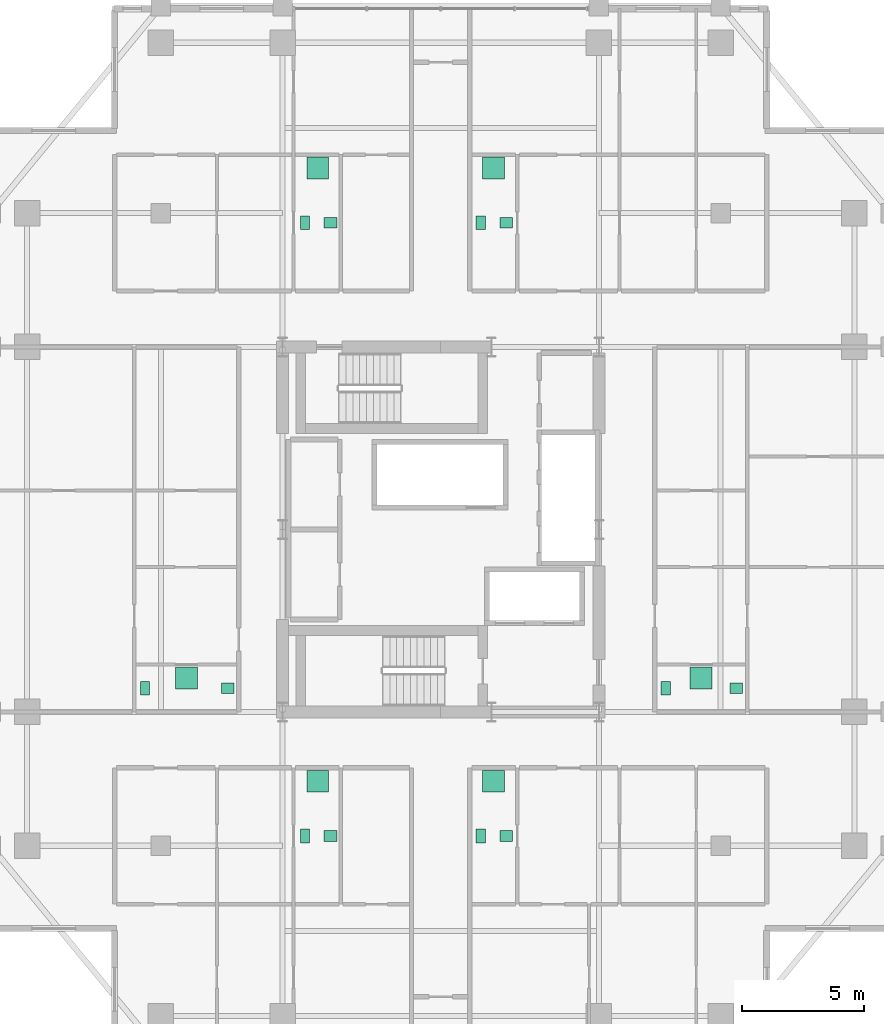
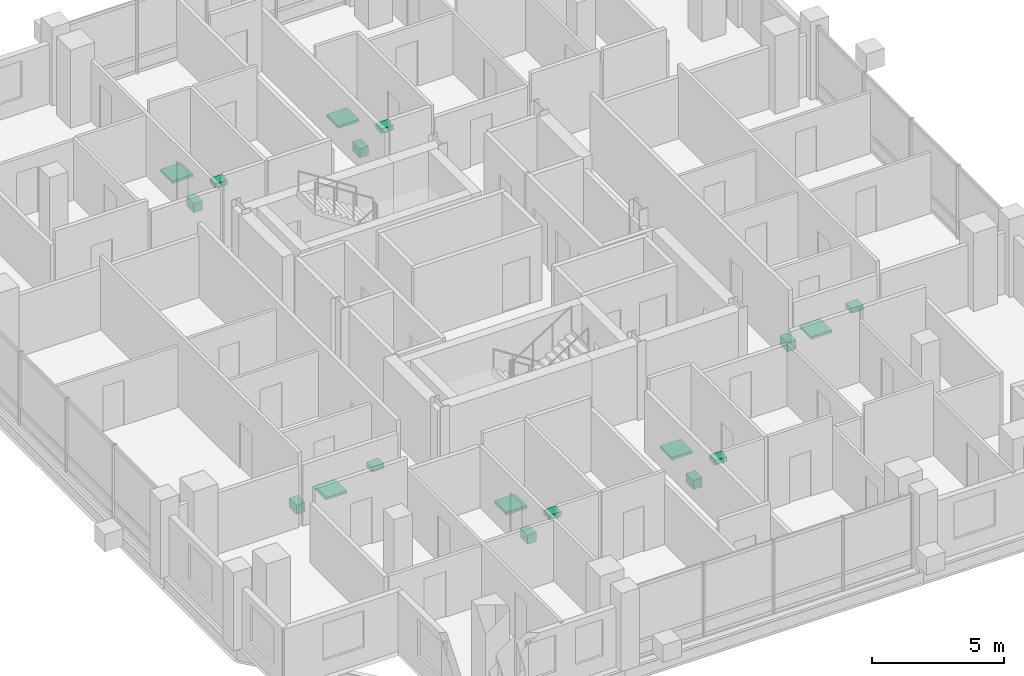
# One storey, part 24 of 24: 18 sanitary terminals.
"""IFC4 building model written with IfcOpenShell, lengths in metres."""

from ifc_helpers import new_model, si_unit, direction, frame, origin, origin_2d, place, context, subcontext, project, spatial, rectangle, extrude, material, type_object, element, save


model = new_model("IFC4")

# Units and contexts
model_context = context("Model", 3, precision=1e-05, world=origin(), true_north=direction((0.0, 1.0)))
body_context = subcontext(model_context, "Body", "Model", "MODEL_VIEW")
ifc_project = project(units=[si_unit("LENGTHUNIT", "METRE"), si_unit("AREAUNIT", "SQUARE_METRE"), si_unit("VOLUMEUNIT", "CUBIC_METRE"), si_unit("PLANEANGLEUNIT", "RADIAN"), si_unit("MASSUNIT", "GRAM", prefix="KILO")], contexts=[model_context])

# Site, building, storey
site_placement = place(None, origin())
site = spatial("IfcSite", under=ifc_project, at=site_placement, CompositionType="ELEMENT")
building_placement = place(site_placement, origin())
building = spatial("IfcBuilding", under=site, at=building_placement, Name="Barlavira Tower and Art Museum", CompositionType="ELEMENT")
storey_placement = place(building_placement, frame((0.0, 0.0, 169.199951171875)))
storey = spatial("IfcBuildingStorey", under=building, at=storey_placement, Name="L43", CompositionType="ELEMENT", Elevation=169.199951171875)

# Sanitary terminals
ifc_material = material(Name="Vitreous glazed ceramic", Category="ceramic")
sanitary_terminal_type_1 = type_object("IfcSanitaryTerminalType", Name="Countertop Ceramic Wash Hand Basin", PredefinedType="WASHHANDBASIN", material=ifc_material)
for number, where, z_axis, x_axis, name in (
    (1, (-4.530029296875, -12.60009765625, 0.740234375), (0.0, 0.0, 1.0), (1.0, 0.0, 0.0), "L43-SW1-BTH1 Wash Basin"),
    (2, (2.699951171875, -12.60009765625, 0.740234375), (0.0, 0.0, 1.0), (1.0, 0.0, 0.0), "L43-SE1-BTH1 Wash Basin"),
    (3, (-4.530029296875, 12.60009765625, 0.740234375), (0.0, 0.0, 1.0), (1.0, 0.0, 0.0), "L43-NW1-BTH1 Wash Basin"),
    (4, (2.699951171875, 12.60009765625, 0.740234375), (0.0, 0.0, 1.0), (1.0, 0.0, 0.0), "L43-NE1-BTH1 Wash Basin"),
    (5, (-8.75, -6.52490234375, 0.740234375), (0.0, 0.0, 1.0), (1.0, 0.0, 0.0), "L43-W1-BTH1 Wash Basin"),
    (6, (12.14990234375, -6.52490234375, 0.740234375), (0.0, 0.0, 1.0), (1.0, 0.0, 0.0), "L43-E1-BTH1 Wash Basin"),
):
    element("IfcSanitaryTerminal", number, at=place(storey_placement, frame(where, z_axis=z_axis, x_axis=x_axis)), inside=storey, type_object=sanitary_terminal_type_1, Name=name, PredefinedType="WASHHANDBASIN", context=body_context, shape_type="SweptSolid", body=[
        extrude(rectangle(XDim=0.52001953125, YDim=0.43994140625, at=origin_2d()), origin(), (0.0, 0.0, 1.0), 0.219970703125),
    ])
sanitary_terminal_type_2 = type_object("IfcSanitaryTerminalType", Name="Walk-In Thermostatic Rain Shower Unit", PredefinedType="SHOWER", material=ifc_material)
for number, where, z_axis, x_axis, name in (
    (7, (-5.054931640625, -10.35009765625, 0.0), (0.0, 0.0, 1.0), (1.0, 0.0, 0.0), "L43-SW1-BTH1 Rain Shower"),
    (8, (2.175048828125, -10.35009765625, 0.0), (0.0, 0.0, 1.0), (1.0, 0.0, 0.0), "L43-SE1-BTH1 Rain Shower"),
    (9, (-5.054931640625, 14.85009765625, 0.0), (0.0, 0.0, 1.0), (1.0, 0.0, 0.0), "L43-NW1-BTH1 Rain Shower"),
    (10, (2.175048828125, 14.85009765625, 0.0), (0.0, 0.0, 1.0), (1.0, 0.0, 0.0), "L43-NE1-BTH1 Rain Shower"),
    (11, (-10.449951171875, -6.10009765625, 0.0), (0.0, 0.0, 1.0), (1.0, 0.0, 0.0), "L43-W1-BTH1 Rain Shower"),
    (12, (10.699951171875, -6.10009765625, 0.0), (0.0, 0.0, 1.0), (1.0, 0.0, 0.0), "L43-E1-BTH1 Rain Shower"),
):
    element("IfcSanitaryTerminal", number, at=place(storey_placement, frame(where, z_axis=z_axis, x_axis=x_axis)), inside=storey, type_object=sanitary_terminal_type_2, Name=name, PredefinedType="SHOWER", context=body_context, shape_type="SweptSolid", body=[
        extrude(rectangle(XDim=0.89990234375, YDim=0.89990234375, at=origin_2d()), origin(), (0.0, 0.0, 1.0), 0.1201171875),
    ])
sanitary_terminal_type_3 = type_object("IfcSanitaryTerminalType", Name="Wall-Hung Dual-Flush Vitreous WC Pan", PredefinedType="TOILETPAN", material=ifc_material)
for number, where, z_axis, x_axis, name in (
    (13, (-5.580078125, -12.60009765625, 0.0), (0.0, 0.0, 1.0), (1.0, 0.0, 0.0), "L43-SW1-BTH1 WC Pan"),
    (14, (1.64990234375, -12.60009765625, 0.0), (0.0, 0.0, 1.0), (1.0, 0.0, 0.0), "L43-SE1-BTH1 WC Pan"),
    (15, (-5.580078125, 12.60009765625, 0.0), (0.0, 0.0, 1.0), (1.0, 0.0, 0.0), "L43-NW1-BTH1 WC Pan"),
    (16, (1.64990234375, 12.60009765625, 0.0), (0.0, 0.0, 1.0), (1.0, 0.0, 0.0), "L43-NE1-BTH1 WC Pan"),
    (17, (-12.14990234375, -6.52490234375, 0.0), (0.0, 0.0, 1.0), (1.0, 0.0, 0.0), "L43-W1-BTH1 WC Pan"),
    (18, (9.25, -6.52490234375, 0.0), (0.0, 0.0, 1.0), (1.0, 0.0, 0.0), "L43-E1-BTH1 WC Pan"),
):
    element("IfcSanitaryTerminal", number, at=place(storey_placement, frame(where, z_axis=z_axis, x_axis=x_axis)), inside=storey, type_object=sanitary_terminal_type_3, Name=name, PredefinedType="TOILETPAN", context=body_context, shape_type="SweptSolid", body=[
        extrude(rectangle(XDim=0.3798828125, YDim=0.56005859375, at=origin_2d()), origin(), (0.0, 0.0, 1.0), 0.419921875),
    ])

save(model, "model.ifc")
